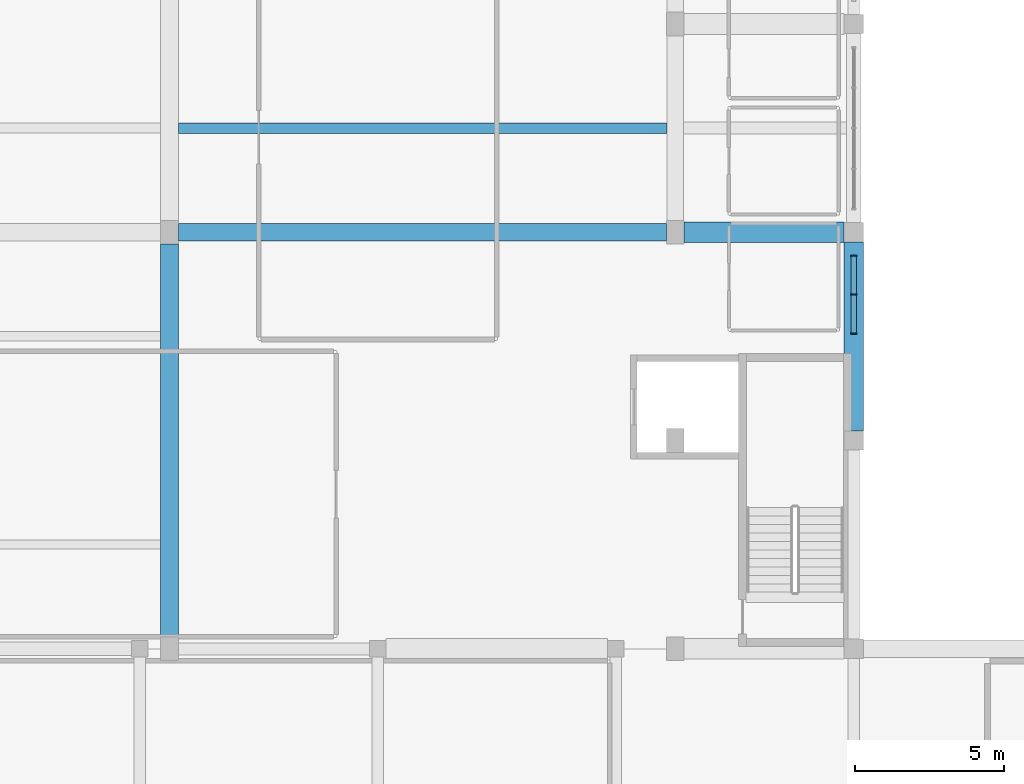
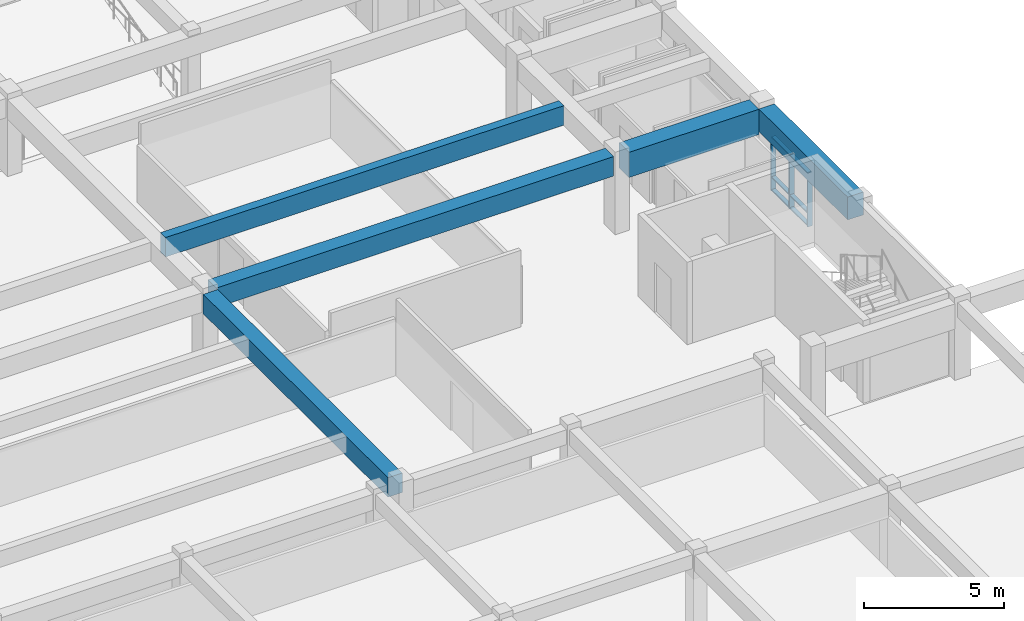
# One storey, part 36 of 77: 9 members, 5 beams, 1 element without a shape of its own.
"""IFC4 building model written with IfcOpenShell, lengths in metres."""

from ifc_helpers import new_model, si_unit, direction, frame, origin, origin_2d, place, context, subcontext, project, spatial, rectangle, extrude, material, material_profile, profile_set, type_object, element, aggregate, save


model = new_model("IFC4")

# Units and contexts
model_context = context("Model", 3, precision=1e-05, world=origin(), true_north=direction((0.0, 1.0)))
body_context = subcontext(model_context, "Body", "Model", "MODEL_VIEW")
ifc_project = project(units=[si_unit("LENGTHUNIT", "METRE"), si_unit("AREAUNIT", "SQUARE_METRE"), si_unit("VOLUMEUNIT", "CUBIC_METRE"), si_unit("PLANEANGLEUNIT", "RADIAN"), si_unit("MASSUNIT", "GRAM", prefix="KILO")], contexts=[model_context])

# Site, building, storey
site_placement = place(None, origin())
site = spatial("IfcSite", under=ifc_project, at=site_placement, CompositionType="ELEMENT")
building_placement = place(site_placement, origin())
building = spatial("IfcBuilding", under=site, at=building_placement, Name="Larkveld Mobility Hub", CompositionType="ELEMENT")
storey_placement = place(building_placement, frame((0.0, 0.0, 12.0)))
storey = spatial("IfcBuildingStorey", under=building, at=storey_placement, Name="L03", CompositionType="ELEMENT", Elevation=12.0)

# Beams
ifc_material_1 = material(Name="Precast concrete C50/60", Category="concrete")
ifc_material_profile_1 = material_profile(ifc_material_1, rectangle(XDim=0.360107421875, YDim=0.85009765625, at=origin_2d()), Name="PC DT 360x850")
ifc_profile_set_1 = profile_set([ifc_material_profile_1], Name="Precast concrete C50/60")
beam_type_1 = type_object("IfcBeamType", Name="BM-DT3685", PredefinedType="T_BEAM", material=ifc_profile_set_1)
beam_1_placement = place(storey_placement, frame((129.294921875, 45.5, 2.945068359375), z_axis=(1.0, 0.0, 0.0), x_axis=(0.0, 1.0, 0.0)))
element("IfcBeam", 1, at=beam_1_placement, inside=storey, type_object=beam_type_1, Name="Precast Double-Tee Stem L03-1112", PredefinedType="T_BEAM", context=body_context, shape_type="SweptSolid", body=[
    extrude(rectangle(XDim=0.360107421875, YDim=0.85009765625, at=origin_2d()), origin(), (0.0, 0.0, 1.0), 16.43505859375),
])
ifc_material_profile_2 = material_profile(ifc_material_1, rectangle(XDim=0.60009765625, YDim=0.85009765625, at=origin_2d()), Name="PC ITB 600x850")
ifc_profile_set_2 = profile_set([ifc_material_profile_2], Name="Precast concrete C50/60")
beam_type_2 = type_object("IfcBeamType", Name="BM-ITB6085", PredefinedType="T_BEAM", material=ifc_profile_set_2)
beam_2_placement = place(storey_placement, frame((129.300048828125, 42.0, 2.93505859375), z_axis=(1.0, 0.0, 0.0), x_axis=(0.0, 1.0, 0.0)))
element("IfcBeam", 2, at=beam_2_placement, inside=storey, type_object=beam_type_2, Name="Primary E-W Girder L03-0721", PredefinedType="T_BEAM", context=body_context, shape_type="SweptSolid", body=[
    extrude(rectangle(XDim=0.60009765625, YDim=0.85009765625, at=origin_2d()), origin(), (0.0, 0.0, 1.0), 16.39990234375),
])
beam_3_placement = place(storey_placement, frame((129.0, 28.39990234375, 2.93505859375), z_axis=(0.0, 1.0, 0.0), x_axis=(-1.0, 0.0, 0.0)))
element("IfcBeam", 3, at=beam_3_placement, inside=storey, type_object=beam_type_2, Name="Primary N-S Girder L03-0814", PredefinedType="T_BEAM", context=body_context, shape_type="SweptSolid", body=[
    extrude(rectangle(XDim=0.60009765625, YDim=0.85009765625, at=origin_2d()), origin(), (0.0, 0.0, 1.0), 13.2001953125),
])
ifc_material_2 = material(Name="Concrete C40/50", Category="concrete")
ifc_material_profile_3 = material_profile(ifc_material_2, rectangle(XDim=0.64990234375, YDim=1.0, at=origin_2d()), Name="RC BM 650x1000")
ifc_profile_set_3 = profile_set([ifc_material_profile_3], Name="Concrete C40/50")
beam_type_3 = type_object("IfcBeamType", Name="BM-RC65100", PredefinedType="BEAM", material=ifc_profile_set_3)
beam_4_placement = place(storey_placement, frame((152.0, 35.324951171875, 2.860107421875), z_axis=(0.0, 1.0, 0.0), x_axis=(-1.0, 0.0, 0.0)))
element("IfcBeam", 4, at=beam_4_placement, inside=storey, type_object=beam_type_3, Name="Primary N-S Girder L03-0838", PredefinedType="BEAM", context=body_context, shape_type="SweptSolid", body=[
    extrude(rectangle(XDim=0.64990234375, YDim=1.0, at=origin_2d()), origin(), (0.0, 0.0, 1.0), 6.35009765625),
])
ifc_material_profile_4 = material_profile(ifc_material_2, rectangle(XDim=0.699951171875, YDim=1.10009765625, at=origin_2d()), Name="RC BM 700x1100")
ifc_profile_set_4 = profile_set([ifc_material_profile_4], Name="Concrete C40/50")
beam_type_4 = type_object("IfcBeamType", Name="BM-RC70110", PredefinedType="BEAM", material=ifc_profile_set_4)
beam_5_placement = place(storey_placement, frame((146.300048828125, 42.0, 2.81005859375), z_axis=(1.0, 0.0, 0.0), x_axis=(0.0, 1.0, 0.0)))
element("IfcBeam", 5, at=beam_5_placement, inside=storey, type_object=beam_type_4, Name="Primary E-W Girder L03-0722", PredefinedType="BEAM", context=body_context, shape_type="SweptSolid", body=[
    extrude(rectangle(XDim=0.699951171875, YDim=1.10009765625, at=origin_2d()), origin(), (0.0, 0.0, 1.0), 5.375),
])

# Curtain wall, members
ifc_material_3 = material(Name="Anodised aluminium 6063-T6", Category="aluminium")
curtain_wall_type = type_object("IfcCurtainWallType", Name="CW-SYS-03", PredefinedType="NOTDEFINED", material=ifc_material_3)
curtain_wall_placement = place(storey_placement, origin())
curtain_wall = element("IfcCurtainWall", 6, at=curtain_wall_placement, inside=storey, type_object=curtain_wall_type, Name="Upper Mobility and Sports East Glazing L03 CW-147", PredefinedType="NOTDEFINED")
ifc_material_profile_5 = material_profile(ifc_material_3, rectangle(XDim=0.050048828125, YDim=0.2099609375, at=origin_2d()), Name="ALU MULL 50x210")
ifc_profile_set_5 = profile_set([ifc_material_profile_5], Name="Anodised aluminium 6063-T6")
member_type_1 = type_object("IfcMemberType", Name="CW-MUL-03", PredefinedType="MULLION", material=ifc_profile_set_5)
member_1_placement = place(storey_placement, frame((152.0, 38.60498046875, -0.001953125), z_axis=(0.0, 0.0, 1.0), x_axis=(0.0, 1.0, 0.0)))
member_1 = element("IfcMember", 7, at=member_1_placement, type_object=member_type_1, Name="CW03 mullion 1", PredefinedType="MULLION", context=body_context, shape_type="SweptSolid", body=[
    extrude(rectangle(XDim=0.050048828125, YDim=0.2099609375, at=origin_2d()), origin(), (0.0, 0.0, 1.0), 2.362060546875),
])
member_2_placement = place(storey_placement, frame((152.0, 39.906982421875, -0.001953125), z_axis=(0.0, 0.0, 1.0), x_axis=(0.0, 1.0, 0.0)))
member_2 = element("IfcMember", 8, at=member_2_placement, type_object=member_type_1, Name="CW03 mullion 2", PredefinedType="MULLION", context=body_context, shape_type="SweptSolid", body=[
    extrude(rectangle(XDim=0.050048828125, YDim=0.2099609375, at=origin_2d()), origin(), (0.0, 0.0, 1.0), 2.362060546875),
])
member_3_placement = place(storey_placement, frame((152.0, 41.2099609375, -0.001953125), z_axis=(0.0, 0.0, 1.0), x_axis=(0.0, 1.0, 0.0)))
member_3 = element("IfcMember", 9, at=member_3_placement, type_object=member_type_1, Name="CW03 mullion 3", PredefinedType="MULLION", context=body_context, shape_type="SweptSolid", body=[
    extrude(rectangle(XDim=0.050048828125, YDim=0.2099609375, at=origin_2d()), origin(), (0.0, 0.0, 1.0), 2.362060546875),
])
ifc_material_profile_6 = material_profile(ifc_material_3, rectangle(XDim=0.169921875, YDim=0.050048828125, at=origin_2d()), Name="ALU TRAN 50x170")
ifc_profile_set_6 = profile_set([ifc_material_profile_6], Name="Anodised aluminium 6063-T6")
member_type_2 = type_object("IfcMemberType", Name="CW-TRN-03", PredefinedType="USERDEFINED", material=ifc_profile_set_6)
member_4_placement = place(storey_placement, frame((152.0, 38.614990234375, 0.030029296875), z_axis=(0.0, 1.0, 0.0), x_axis=(-1.0, 0.0, 0.0)))
member_4 = element("IfcMember", 10, at=member_4_placement, type_object=member_type_2, Name="CW03 transom 1.1", ObjectType="TRANSOM", PredefinedType="USERDEFINED", context=body_context, shape_type="SweptSolid", body=[
    extrude(rectangle(XDim=0.169921875, YDim=0.050048828125, at=origin_2d()), origin(), (0.0, 0.0, 1.0), 1.277099609375),
])
member_5_placement = place(storey_placement, frame((152.0, 38.614990234375, 0.589111328125), z_axis=(0.0, 1.0, 0.0), x_axis=(-1.0, 0.0, 0.0)))
member_5 = element("IfcMember", 11, at=member_5_placement, type_object=member_type_2, Name="CW03 transom 1.2", ObjectType="TRANSOM", PredefinedType="USERDEFINED", context=body_context, shape_type="SweptSolid", body=[
    extrude(rectangle(XDim=0.169921875, YDim=0.050048828125, at=origin_2d()), origin(), (0.0, 0.0, 1.0), 1.277099609375),
])
member_6_placement = place(storey_placement, frame((152.0, 38.614990234375, 2.327880859375), z_axis=(0.0, 1.0, 0.0), x_axis=(-1.0, 0.0, 0.0)))
member_6 = element("IfcMember", 12, at=member_6_placement, type_object=member_type_2, Name="CW03 transom 1.3", ObjectType="TRANSOM", PredefinedType="USERDEFINED", context=body_context, shape_type="SweptSolid", body=[
    extrude(rectangle(XDim=0.169921875, YDim=0.050048828125, at=origin_2d()), origin(), (0.0, 0.0, 1.0), 1.277099609375),
])
member_7_placement = place(storey_placement, frame((152.0, 39.922119140625, 0.030029296875), z_axis=(0.0, 1.0, 0.0), x_axis=(-1.0, 0.0, 0.0)))
member_7 = element("IfcMember", 13, at=member_7_placement, type_object=member_type_2, Name="CW03 transom 2.1", ObjectType="TRANSOM", PredefinedType="USERDEFINED", context=body_context, shape_type="SweptSolid", body=[
    extrude(rectangle(XDim=0.169921875, YDim=0.050048828125, at=origin_2d()), origin(), (0.0, 0.0, 1.0), 1.27783203125),
])
member_8_placement = place(storey_placement, frame((152.0, 39.922119140625, 0.589111328125), z_axis=(0.0, 1.0, 0.0), x_axis=(-1.0, 0.0, 0.0)))
member_8 = element("IfcMember", 14, at=member_8_placement, type_object=member_type_2, Name="CW03 transom 2.2", ObjectType="TRANSOM", PredefinedType="USERDEFINED", context=body_context, shape_type="SweptSolid", body=[
    extrude(rectangle(XDim=0.169921875, YDim=0.050048828125, at=origin_2d()), origin(), (0.0, 0.0, 1.0), 1.27783203125),
])
member_9_placement = place(storey_placement, frame((152.0, 39.922119140625, 2.327880859375), z_axis=(0.0, 1.0, 0.0), x_axis=(-1.0, 0.0, 0.0)))
member_9 = element("IfcMember", 15, at=member_9_placement, type_object=member_type_2, Name="CW03 transom 2.3", ObjectType="TRANSOM", PredefinedType="USERDEFINED", context=body_context, shape_type="SweptSolid", body=[
    extrude(rectangle(XDim=0.169921875, YDim=0.050048828125, at=origin_2d()), origin(), (0.0, 0.0, 1.0), 1.27783203125),
])
aggregate(curtain_wall, [member_1, member_2, member_3, member_4, member_5, member_6, member_7, member_8, member_9])

save(model, "model.ifc")
